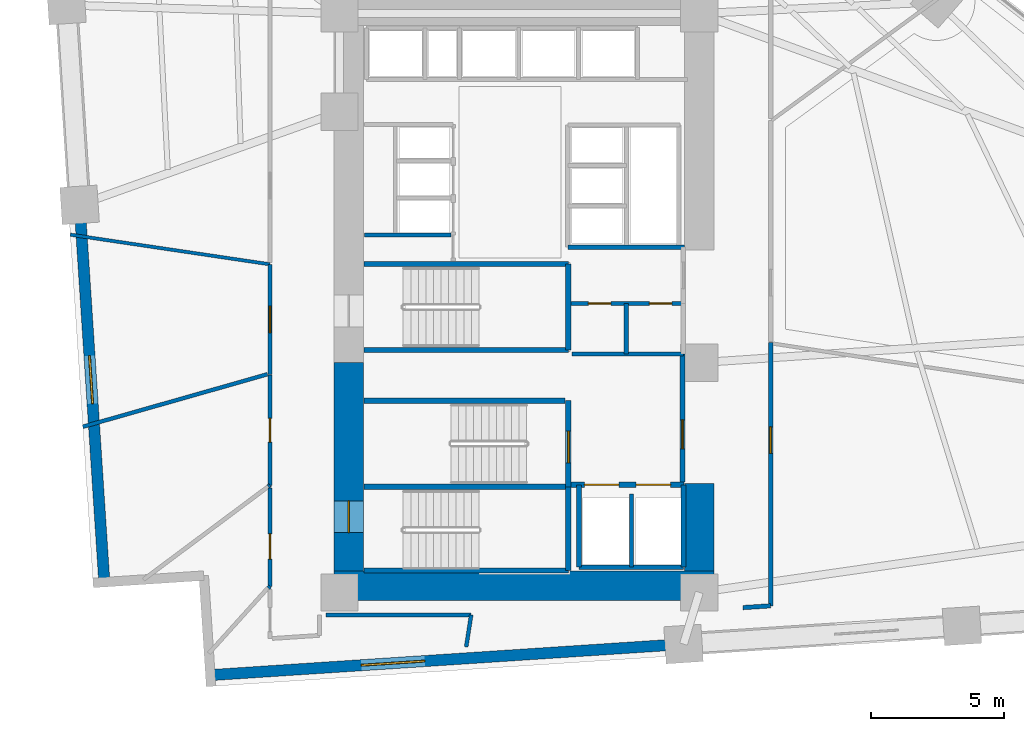
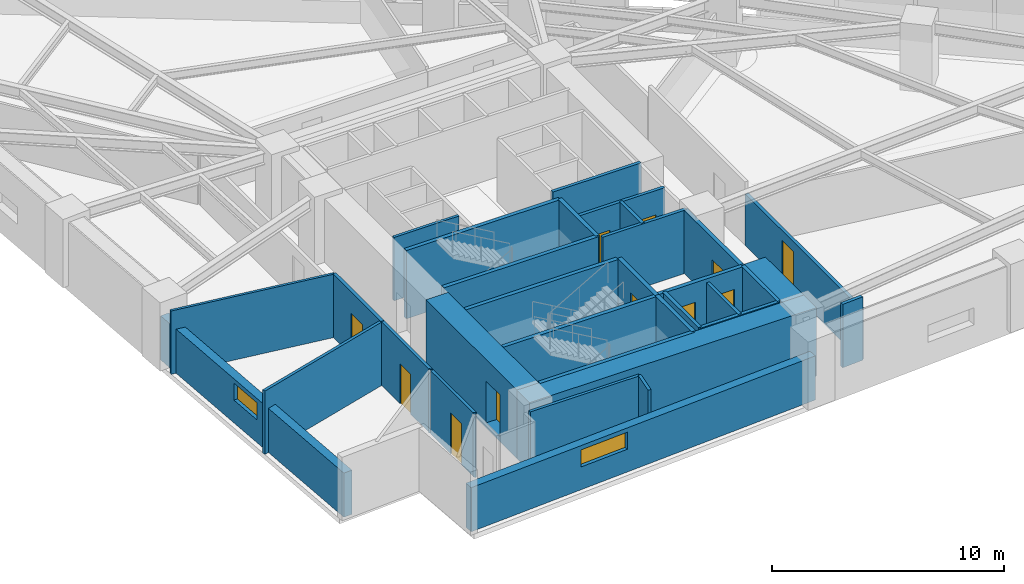
# One storey, part 12 of 16: 35 walls, 11 doors, 2 windows, 13 openings.
"""IFC4 building model written with IfcOpenShell, lengths in metres."""

from ifc_helpers import new_model, si_unit, direction, frame, frame_2d, origin, place, context, subcontext, project, spatial, rectangle, extrude, material, layer, layer_set, type_object, element, fill, save


model = new_model("IFC4")

# Units and contexts
model_context = context("Model", 3, precision=1e-05, world=origin(), true_north=direction((0.0, 1.0)))
body_context = subcontext(model_context, "Body", "Model", "MODEL_VIEW")
ifc_project = project(units=[si_unit("LENGTHUNIT", "METRE"), si_unit("AREAUNIT", "SQUARE_METRE"), si_unit("VOLUMEUNIT", "CUBIC_METRE"), si_unit("PLANEANGLEUNIT", "RADIAN"), si_unit("MASSUNIT", "GRAM", prefix="KILO")], contexts=[model_context])

# Site, building, storey
site_placement = place(None, origin())
site = spatial("IfcSite", under=ifc_project, at=site_placement, CompositionType="ELEMENT")
building_placement = place(site_placement, origin())
building = spatial("IfcBuilding", under=site, at=building_placement, Name="Narakoshi Arena Tower", CompositionType="ELEMENT")
storey_placement = place(building_placement, frame((0.0, 0.0, 88.5)))
storey = spatial("IfcBuildingStorey", under=building, at=storey_placement, Name="L23", CompositionType="ELEMENT", Elevation=88.5)

# Wall, opening, door
ifc_material_1 = material(Name="Concrete C60/75", Category="concrete")
ifc_layer_1 = layer(ifc_material_1, 1.10009765625)
ifc_layer_set_1 = layer_set([ifc_layer_1], Name="Concrete C60/75")
wall_type_1 = type_object("IfcWallType", Name="WL-CORE-1100", PredefinedType="SHEAR", material=ifc_layer_set_1)
wall_1_placement = place(storey_placement, frame((72.35009765625, 35.5, -0.260009765625), z_axis=(0.0, 0.0, 1.0), x_axis=(0.0, 1.0, 0.0)))
wall_1 = element("IfcWall", 1, at=wall_1_placement, inside=storey, type_object=wall_type_1, Name="L23 Central Core Shear Wall CW-APX-W", PredefinedType="SHEAR", context=body_context, shape_type="SweptSolid", body=[
    extrude(rectangle(XDim=7.85009765625, YDim=1.10009765625, at=frame_2d((3.925048828125, 0.0))), origin(), (0.0, 0.0, 1.0), 3.60009765625),
])
opening_1_placement = place(wall_1_placement, frame((1.449951171875, 0.0, 0.260009765625)))
opening_1 = element("IfcOpeningElement", 2, at=opening_1_placement, cuts=wall_1, Name="Opening D-03", PredefinedType="OPENING", context=body_context, shape_type="SweptSolid", body=[
    extrude(rectangle(XDim=1.199951171875, YDim=2.199951171875, at=frame_2d((0.60009765625, 1.10009765625))), frame((0.0, 0.56005859375, 0.0), z_axis=(0.0, -1.0, 0.0), x_axis=(1.0, 0.0, 0.0)), (0.0, 0.0, 1.0), 1.1201171875),
])
ifc_material_2 = material(Name="Painted galvanized steel", Category="steel")
door_type_1 = type_object("IfcDoorType", Name="DR-STR-1200", OperationType="NOTDEFINED", PredefinedType="USERDEFINED", material=ifc_material_2)
door_1_placement = place(opening_1_placement, frame((1.199951171875, 0.0, 0.0), z_axis=(0.0, 0.0, 1.0), x_axis=(-1.0, 0.0, 0.0)))
door_1 = element("IfcDoor", 3, at=door_1_placement, inside=storey, type_object=door_type_1, Name="DR-L23-001", ObjectType="EXITDOOR", OperationType="SINGLE_SWING_LEFT", OverallHeight=2.199951171875, OverallWidth=1.199951171875, PredefinedType="USERDEFINED", context=body_context, shape_type="SweptSolid", body=[
    extrude(rectangle(XDim=1.199951171875, YDim=2.199951171875, at=frame_2d((0.60009765625, 1.10009765625))), frame((0.0, 0.02490234375, 0.0), z_axis=(0.0, -1.0, 0.0), x_axis=(1.0, 0.0, 0.0)), (0.0, 0.0, 1.0), 0.050048828125),
])
fill(opening_1, door_1)

# Walls
wall_2_placement = place(storey_placement, frame((71.800048828125, 34.949951171875, -0.260009765625), z_axis=(0.0, 0.0, 1.0), x_axis=(1.0, 0.0, 0.0)))
element("IfcWall", 4, at=wall_2_placement, inside=storey, type_object=wall_type_1, Name="L23 Central Core Shear Wall CW-APX-S", PredefinedType="SHEAR", context=body_context, shape_type="SweptSolid", body=[
    extrude(rectangle(XDim=14.300048828125, YDim=1.10009765625, at=frame_2d((7.14990234375, 0.0))), origin(), (0.0, 0.0, 1.0), 3.60009765625),
])
wall_3_placement = place(storey_placement, frame((85.550048828125, 35.5, -0.260009765625), z_axis=(0.0, 0.0, 1.0), x_axis=(0.0, 1.0, 0.0)))
element("IfcWall", 5, at=wall_3_placement, inside=storey, type_object=wall_type_1, Name="L23 Central Core Shear Wall CW-APX-E", PredefinedType="SHEAR", context=body_context, shape_type="SweptSolid", body=[
    extrude(rectangle(XDim=3.300048828125, YDim=1.10009765625, at=frame_2d((1.64990234375, 0.0))), origin(), (0.0, 0.0, 1.0), 3.60009765625),
])

# Wall, opening, door
ifc_material_3 = material(Name="Gypsum plasterboard fire-rated partition")
ifc_layer_2 = layer(ifc_material_3, 0.1650390625)
ifc_layer_set_2 = layer_set([ifc_layer_2], Name="Gypsum plasterboard fire-rated partition")
wall_type_2 = type_object("IfcWallType", Name="WL-CORR-165", PredefinedType="PARTITIONING", material=ifc_layer_set_2)
wall_4_placement = place(storey_placement, frame((69.3798828125, 47.0546875, 0.0), z_axis=(0.0, 0.0, 1.0), x_axis=(0.0, -1.0, 0.0)))
wall_4 = element("IfcWall", 6, at=wall_4_placement, inside=storey, type_object=wall_type_2, Name="L23 Corridor Partition 01-1", PredefinedType="PARTITIONING", context=body_context, shape_type="SweptSolid", body=[
    extrude(rectangle(XDim=4.1484375, YDim=0.1650390625, at=frame_2d((2.07421875, 0.0))), origin(), (0.0, 0.0, 1.0), 3.340087890625),
])
opening_2_placement = place(wall_4_placement, frame((1.57421875, 0.0, 0.0)))
opening_2 = element("IfcOpeningElement", 7, at=opening_2_placement, cuts=wall_4, Name="Opening D-06", PredefinedType="OPENING", context=body_context, shape_type="SweptSolid", body=[
    extrude(rectangle(XDim=1.0, YDim=2.199951171875, at=frame_2d((0.5, 1.10009765625))), frame((0.0, 0.092529296875, 0.0), z_axis=(0.0, -1.0, 0.0), x_axis=(1.0, 0.0, 0.0)), (0.0, 0.0, 1.0), 0.18505859375),
])
ifc_material_4 = material(Name="Stained oak solid-core timber", Category="wood")
door_type_2 = type_object("IfcDoorType", Name="DR-OFF-1000", OperationType="NOTDEFINED", PredefinedType="DOOR", material=ifc_material_4)
door_2_placement = place(opening_2_placement, frame((1.0, 0.0, 0.0), z_axis=(0.0, 0.0, 1.0), x_axis=(-1.0, 0.0, 0.0)))
door_2 = element("IfcDoor", 8, at=door_2_placement, inside=storey, type_object=door_type_2, Name="DR-L23-014", OperationType="SINGLE_SWING_LEFT", OverallHeight=2.199951171875, OverallWidth=1.0, PredefinedType="DOOR", context=body_context, shape_type="SweptSolid", body=[
    extrude(rectangle(XDim=1.0, YDim=2.199951171875, at=frame_2d((0.5, 1.10009765625))), frame((0.0, 0.02490234375, 0.0), z_axis=(0.0, -1.0, 0.0), x_axis=(1.0, 0.0, 0.0)), (0.0, 0.0, 1.0), 0.050048828125),
])
fill(opening_2, door_2)

wall_5_placement = place(storey_placement, frame((88.237548828125, 34.193603515625, 0.0), z_axis=(0.0, 0.0, 1.0), x_axis=(0.0, 1.0, 0.0)))
wall_5 = element("IfcWall", 9, at=wall_5_placement, inside=storey, type_object=wall_type_2, Name="L23 Corridor Partition 05-1", PredefinedType="PARTITIONING", context=body_context, shape_type="SweptSolid", body=[
    extrude(rectangle(XDim=9.9248046875, YDim=0.1650390625, at=frame_2d((4.96240234375, 0.0))), origin(), (0.0, 0.0, 1.0), 2.72509765625),
])
opening_3_placement = place(wall_5_placement, frame((5.7412109375, 0.0, 0.0)))
opening_3 = element("IfcOpeningElement", 10, at=opening_3_placement, cuts=wall_5, Name="Opening D-06", PredefinedType="OPENING", context=body_context, shape_type="SweptSolid", body=[
    extrude(rectangle(XDim=1.0, YDim=2.199951171875, at=frame_2d((0.5, 1.10009765625))), frame((0.0, 0.092529296875, 0.0), z_axis=(0.0, -1.0, 0.0), x_axis=(1.0, 0.0, 0.0)), (0.0, 0.0, 1.0), 0.18505859375),
])
door_3_placement = place(opening_3_placement, frame((1.0, 0.0, 0.0), z_axis=(0.0, 0.0, 1.0), x_axis=(-1.0, 0.0, 0.0)))
door_3 = element("IfcDoor", 11, at=door_3_placement, inside=storey, type_object=door_type_2, Name="DR-L23-018", OperationType="SINGLE_SWING_LEFT", OverallHeight=2.199951171875, OverallWidth=1.0, PredefinedType="DOOR", context=body_context, shape_type="SweptSolid", body=[
    extrude(rectangle(XDim=1.0, YDim=2.199951171875, at=frame_2d((0.5, 1.10009765625))), frame((0.0, 0.02490234375, 0.0), z_axis=(0.0, -1.0, 0.0), x_axis=(1.0, 0.0, 0.0)), (0.0, 0.0, 1.0), 0.050048828125),
])
fill(opening_3, door_3)

# Walls
wall_6_placement = place(storey_placement, frame((87.197509765625, 34.12548828125, 0.0), z_axis=(0.0, 0.0, 1.0), x_axis=(0.997862211048, 0.065352947625, 0.0)))
element("IfcWall", 12, at=wall_6_placement, inside=storey, type_object=wall_type_2, Name="L23 Corridor Partition 05-2", PredefinedType="PARTITIONING", context=body_context, shape_type="SweptSolid", body=[
    extrude(rectangle(XDim=1.042236328125, YDim=0.1650390625, at=frame_2d((0.52099609375, 0.0))), origin(), (0.0, 0.0, 1.0), 3.340087890625),
])
ifc_layer_3 = layer(ifc_material_3, 0.125)
ifc_layer_set_3 = layer_set([ifc_layer_3], Name="Gypsum plasterboard fire-rated partition")
wall_type_3 = type_object("IfcWallType", Name="WL-PART-125", PredefinedType="PARTITIONING", material=ifc_layer_set_3)
wall_7_placement = place(storey_placement, frame((61.85791015625, 48.171630859375, 0.0), z_axis=(0.0, 0.0, 1.0), x_axis=(0.989154279696, -0.146880260617, 0.0)))
element("IfcWall", 13, at=wall_7_placement, inside=storey, type_object=wall_type_3, Name="L23 Inter-Room Partition 01-09", PredefinedType="PARTITIONING", context=body_context, shape_type="SweptSolid", body=[
    extrude(rectangle(XDim=7.6044921875, YDim=0.125, at=frame_2d((3.80224609375, 0.0))), origin(), (0.0, 0.0, 1.0), 3.340087890625),
])

# Wall, opening, window
ifc_material_5 = material(Name="Precast concrete C45/55", Category="concrete")
ifc_layer_4 = layer(ifc_material_5, 0.419921875)
ifc_layer_set_4 = layer_set([ifc_layer_4], Name="Precast concrete C45/55")
wall_type_4 = type_object("IfcWallType", Name="WL-POD-420", PredefinedType="SOLIDWALL", material=ifc_layer_set_4)
wall_8_placement = place(storey_placement, frame((67.133056640625, 31.582763671875, 0.0), z_axis=(0.0, 0.0, 1.0), x_axis=(0.997859040617, 0.065401338356, 0.0)))
wall_8 = element("IfcWall", 14, at=wall_8_placement, inside=storey, type_object=wall_type_4, Name="L23 Architectural Concrete Facade Wall LEGA-1", PredefinedType="SOLIDWALL", context=body_context, shape_type="SweptSolid", body=[
    extrude(rectangle(XDim=17.8623046875, YDim=0.419921875, at=frame_2d((8.93115234375, 0.0))), origin(), (0.0, 0.0, 1.0), 2.324951171875),
])
opening_4_placement = place(wall_8_placement, frame((5.699951171875, 0.0, 1.199951171875)))
opening_4 = element("IfcOpeningElement", 15, at=opening_4_placement, cuts=wall_8, Name="Opening WN-01", PredefinedType="OPENING", context=body_context, shape_type="SweptSolid", body=[
    extrude(rectangle(XDim=2.39990234375, YDim=0.89990234375, at=frame_2d((1.199951171875, 0.449951171875))), frame((0.0, 0.219970703125, 0.0), z_axis=(0.0, -1.0, 0.0), x_axis=(1.0, 0.0, 0.0)), (0.0, 0.0, 1.0), 0.43994140625),
])
ifc_material_6 = material(Name="Bronze-tinted low-E laminated glass", Category="glass")
window_type_1 = type_object("IfcWindowType", Name="WIN-SLT-24x09", PartitioningType="SINGLE_PANEL", PredefinedType="WINDOW", material=ifc_material_6)
window_1_placement = place(opening_4_placement, origin())
window_1 = element("IfcWindow", 16, at=window_1_placement, inside=storey, type_object=window_type_1, Name="L23 LEGA1 Horizontal Slot Window 1", OverallHeight=0.89990234375, OverallWidth=2.39990234375, PartitioningType="SINGLE_PANEL", PredefinedType="WINDOW", context=body_context, shape_type="SweptSolid", body=[
    extrude(rectangle(XDim=2.39990234375, YDim=0.89990234375, at=frame_2d((1.199951171875, 0.449951171875))), frame((0.0, 0.030029296875, 0.0), z_axis=(0.0, -1.0, 0.0), x_axis=(1.0, 0.0, 0.0)), (0.0, 0.0, 1.0), 0.06005859375),
])
fill(opening_4, window_1)

wall_9_placement = place(storey_placement, frame((62.210205078125, 49.294921875, 0.0), z_axis=(0.0, 0.0, 1.0), x_axis=(0.065396027757, -0.997859388668, 0.0)))
wall_9 = element("IfcWall", 17, at=wall_9_placement, inside=storey, type_object=wall_type_4, Name="L23 Architectural Concrete Facade Wall LEGB-3", PredefinedType="SOLIDWALL", context=body_context, shape_type="SweptSolid", body=[
    extrude(rectangle(XDim=14.242431640625, YDim=0.419921875, at=frame_2d((7.12109375, 0.0))), origin(), (0.0, 0.0, 1.0), 2.324951171875),
])
opening_5_placement = place(wall_9_placement, frame((5.699951171875, 0.0, 1.199951171875)))
opening_5 = element("IfcOpeningElement", 18, at=opening_5_placement, cuts=wall_9, Name="Opening WN-02", PredefinedType="OPENING", context=body_context, shape_type="SweptSolid", body=[
    extrude(rectangle(XDim=1.800048828125, YDim=0.89990234375, at=frame_2d((0.89990234375, 0.449951171875))), frame((0.0, 0.219970703125, 0.0), z_axis=(0.0, -1.0, 0.0), x_axis=(1.0, 0.0, 0.0)), (0.0, 0.0, 1.0), 0.43994140625),
])
window_type_2 = type_object("IfcWindowType", Name="WIN-SLT-18x09", PartitioningType="SINGLE_PANEL", PredefinedType="WINDOW", material=ifc_material_6)
window_2_placement = place(opening_5_placement, origin())
window_2 = element("IfcWindow", 19, at=window_2_placement, inside=storey, type_object=window_type_2, Name="L23 LEGB3 Horizontal Slot Window 1", OverallHeight=0.89990234375, OverallWidth=1.800048828125, PartitioningType="SINGLE_PANEL", PredefinedType="WINDOW", context=body_context, shape_type="SweptSolid", body=[
    extrude(rectangle(XDim=1.800048828125, YDim=0.89990234375, at=frame_2d((0.89990234375, 0.449951171875))), frame((0.0, 0.030029296875, 0.0), z_axis=(0.0, -1.0, 0.0), x_axis=(1.0, 0.0, 0.0)), (0.0, 0.0, 1.0), 0.06005859375),
])
fill(opening_5, window_2)

# Wall
ifc_material_7 = material(Name="Concrete C40/50", Category="concrete")
ifc_layer_5 = layer(ifc_material_7, 0.280029296875)
ifc_layer_set_5 = layer_set([ifc_layer_5], Name="Concrete C40/50")
wall_type_5 = type_object("IfcWallType", Name="WL-RISER-280", PredefinedType="PLUMBINGWALL", material=ifc_layer_set_5)
wall_10_placement = place(storey_placement, frame((83.0, 35.64990234375, 0.0), z_axis=(0.0, 0.0, 1.0), x_axis=(0.0, 1.0, 0.0)))
element("IfcWall", 20, at=wall_10_placement, inside=storey, type_object=wall_type_5, Name="L23 Core Wall FF-DIV", PredefinedType="PLUMBINGWALL", context=body_context, shape_type="SweptSolid", body=[
    extrude(rectangle(XDim=2.75, YDim=0.159912109375, at=frame_2d((1.375, 0.0))), origin(), (0.0, 0.0, 1.0), 3.340087890625),
])

# Wall, openings, doors
wall_11_placement = place(storey_placement, frame((80.719970703125, 45.580078125, 0.0), z_axis=(0.0, 0.0, 1.0), x_axis=(1.0, 0.0, 0.0)))
wall_11 = element("IfcWall", 21, at=wall_11_placement, inside=storey, type_object=wall_type_5, Name="L23 Core Wall RSR-N", PredefinedType="PLUMBINGWALL", context=body_context, shape_type="SweptSolid", body=[
    extrude(rectangle(XDim=4.22998046875, YDim=0.159912109375, at=frame_2d((2.114990234375, 0.0))), origin(), (0.0, 0.0, 1.0), 3.340087890625),
])
opening_6_placement = place(wall_11_placement, frame((0.64990234375, 0.0, 0.0)))
opening_6 = element("IfcOpeningElement", 22, at=opening_6_placement, cuts=wall_11, Name="Opening D-10", PredefinedType="OPENING", context=body_context, shape_type="SweptSolid", body=[
    extrude(rectangle(XDim=0.85009765625, YDim=2.050048828125, at=frame_2d((0.425048828125, 1.02490234375))), frame((0.0, 0.08984375, 0.0), z_axis=(0.0, -1.0, 0.0), x_axis=(1.0, 0.0, 0.0)), (0.0, 0.0, 1.0), 0.179931640625),
])
opening_7_placement = place(wall_11_placement, frame((2.949951171875, 0.0, 0.0)))
opening_7 = element("IfcOpeningElement", 23, at=opening_7_placement, cuts=wall_11, Name="Opening D-10", PredefinedType="OPENING", context=body_context, shape_type="SweptSolid", body=[
    extrude(rectangle(XDim=0.85009765625, YDim=2.050048828125, at=frame_2d((0.425048828125, 1.02490234375))), frame((0.0, 0.08984375, 0.0), z_axis=(0.0, -1.0, 0.0), x_axis=(1.0, 0.0, 0.0)), (0.0, 0.0, 1.0), 0.179931640625),
])
door_type_3 = type_object("IfcDoorType", Name="DR-RSR-850", OperationType="NOTDEFINED", PredefinedType="DOOR", material=ifc_material_2)
door_4_placement = place(opening_6_placement, frame((0.85009765625, 0.0, 0.0), z_axis=(0.0, 0.0, 1.0), x_axis=(-1.0, 0.0, 0.0)))
door_4 = element("IfcDoor", 24, at=door_4_placement, inside=storey, type_object=door_type_3, Name="DR-L23-008", OperationType="SINGLE_SWING_LEFT", OverallHeight=2.050048828125, OverallWidth=0.85009765625, PredefinedType="DOOR", context=body_context, shape_type="SweptSolid", body=[
    extrude(rectangle(XDim=0.85009765625, YDim=2.050048828125, at=frame_2d((0.425048828125, 1.02490234375))), frame((0.0, 0.02490234375, 0.0), z_axis=(0.0, -1.0, 0.0), x_axis=(1.0, 0.0, 0.0)), (0.0, 0.0, 1.0), 0.050048828125),
])
fill(opening_6, door_4)
door_5_placement = place(opening_7_placement, frame((0.85009765625, 0.0, 0.0), z_axis=(0.0, 0.0, 1.0), x_axis=(-1.0, 0.0, 0.0)))
door_5 = element("IfcDoor", 25, at=door_5_placement, inside=storey, type_object=door_type_3, Name="DR-L23-009", OperationType="SINGLE_SWING_RIGHT", OverallHeight=2.050048828125, OverallWidth=0.85009765625, PredefinedType="DOOR", context=body_context, shape_type="SweptSolid", body=[
    extrude(rectangle(XDim=0.85009765625, YDim=2.050048828125, at=frame_2d((0.425048828125, 1.02490234375))), frame((0.0, 0.02490234375, 0.0), z_axis=(0.0, -1.0, 0.0), x_axis=(1.0, 0.0, 0.0)), (0.0, 0.0, 1.0), 0.050048828125),
])
fill(opening_7, door_5)

# Walls
wall_12_placement = place(storey_placement, frame((80.760009765625, 43.679931640625, 0.0), z_axis=(0.0, 0.0, 1.0), x_axis=(1.0, 0.0, 0.0)))
element("IfcWall", 26, at=wall_12_placement, inside=storey, type_object=wall_type_5, Name="L23 Core Wall RSR-S", PredefinedType="PLUMBINGWALL", context=body_context, shape_type="SweptSolid", body=[
    extrude(rectangle(XDim=4.18994140625, YDim=0.159912109375, at=frame_2d((2.094970703125, 0.0))), origin(), (0.0, 0.0, 1.0), 3.340087890625),
])
wall_13_placement = place(storey_placement, frame((82.800048828125, 43.679931640625, 0.0), z_axis=(0.0, 0.0, 1.0), x_axis=(0.0, 1.0, 0.0)))
element("IfcWall", 27, at=wall_13_placement, inside=storey, type_object=wall_type_5, Name="L23 Core Wall RSR-M", PredefinedType="PLUMBINGWALL", context=body_context, shape_type="SweptSolid", body=[
    extrude(rectangle(XDim=1.900146484375, YDim=0.159912109375, at=frame_2d((0.9501953125, 0.0))), origin(), (0.0, 0.0, 1.0), 3.340087890625),
])
wall_14_placement = place(storey_placement, frame((72.949951171875, 48.159912109375, 0.0), z_axis=(0.0, 0.0, 1.0), x_axis=(1.0, 0.0, 0.0)))
element("IfcWall", 28, at=wall_14_placement, inside=storey, type_object=wall_type_5, Name="L23 Core Wall LR-S0", PredefinedType="PLUMBINGWALL", context=body_context, shape_type="SweptSolid", body=[
    extrude(rectangle(XDim=3.239990234375, YDim=0.139892578125, at=frame_2d((1.6201171875, 0.0))), origin(), (0.0, 0.0, 1.0), 3.340087890625),
])
ifc_material_8 = material(Name="Concrete C50/60", Category="concrete")
ifc_layer_6 = layer(ifc_material_8, 0.35009765625)
ifc_layer_set_6 = layer_set([ifc_layer_6], Name="Concrete C50/60")
wall_type_6 = type_object("IfcWallType", Name="WL-SHAFT-350", PredefinedType="SOLIDWALL", material=ifc_layer_set_6)
for number, where, z_axis, x_axis, name in (
    (29, (72.919921875, 35.52001953125, -0.260009765625), (0.0, 0.0, 1.0), (1.0, 0.0, 0.0), "L23 Core Wall ST1-S"),
    (30, (72.919921875, 38.675048828125, -0.260009765625), (0.0, 0.0, 1.0), (1.0, 0.0, 0.0), "L23 Core Wall ST12-DIV"),
):
    element("IfcWall", number, at=place(storey_placement, frame(where, z_axis=z_axis, x_axis=x_axis)), inside=storey, type_object=wall_type_6, Name=name, PredefinedType="SOLIDWALL", context=body_context, shape_type="SweptSolid", body=[
        extrude(rectangle(XDim=7.7001953125, YDim=0.199951171875, at=frame_2d((3.85009765625, 0.0))), origin(), (0.0, 0.0, 1.0), 3.60009765625),
    ])
wall_15_placement = place(storey_placement, frame((80.6201171875, 35.52001953125, -0.260009765625), z_axis=(0.0, 0.0, 1.0), x_axis=(0.0, 1.0, 0.0)))
element("IfcWall", 31, at=wall_15_placement, inside=storey, type_object=wall_type_6, Name="L23 Core Wall ST1-E", PredefinedType="SOLIDWALL", context=body_context, shape_type="SweptSolid", body=[
    extrude(rectangle(XDim=3.155029296875, YDim=0.199951171875, at=frame_2d((1.57763671875, 0.0))), origin(), (0.0, 0.0, 1.0), 3.60009765625),
])

# Wall, opening, door
wall_16_placement = place(storey_placement, frame((80.6201171875, 38.675048828125, -0.260009765625), z_axis=(0.0, 0.0, 1.0), x_axis=(0.0, 1.0, 0.0)))
wall_16 = element("IfcWall", 32, at=wall_16_placement, inside=storey, type_object=wall_type_6, Name="L23 Core Wall ST2-E", PredefinedType="SOLIDWALL", context=body_context, shape_type="SweptSolid", body=[
    extrude(rectangle(XDim=3.244873046875, YDim=0.199951171875, at=frame_2d((1.62255859375, 0.0))), origin(), (0.0, 0.0, 1.0), 3.60009765625),
])
opening_8_placement = place(wall_16_placement, frame((0.89990234375, 0.0, 0.260009765625)))
opening_8 = element("IfcOpeningElement", 33, at=opening_8_placement, cuts=wall_16, Name="Opening D-03", PredefinedType="OPENING", context=body_context, shape_type="SweptSolid", body=[
    extrude(rectangle(XDim=1.199951171875, YDim=2.199951171875, at=frame_2d((0.60009765625, 1.10009765625))), frame((0.0, 0.10986328125, 0.0), z_axis=(0.0, -1.0, 0.0), x_axis=(1.0, 0.0, 0.0)), (0.0, 0.0, 1.0), 0.219970703125),
])
door_6_placement = place(opening_8_placement, origin())
door_6 = element("IfcDoor", 34, at=door_6_placement, inside=storey, type_object=door_type_1, Name="DR-L23-002", ObjectType="EXITDOOR", OperationType="SINGLE_SWING_RIGHT", OverallHeight=2.199951171875, OverallWidth=1.199951171875, PredefinedType="USERDEFINED", context=body_context, shape_type="SweptSolid", body=[
    extrude(rectangle(XDim=1.199951171875, YDim=2.199951171875, at=frame_2d((0.60009765625, 1.10009765625))), frame((0.0, 0.02490234375, 0.0), z_axis=(0.0, -1.0, 0.0), x_axis=(1.0, 0.0, 0.0)), (0.0, 0.0, 1.0), 0.050048828125),
])
fill(opening_8, door_6)

# Wall, openings, doors
wall_17_placement = place(storey_placement, frame((80.719970703125, 38.75, 0.0), z_axis=(0.0, 0.0, 1.0), x_axis=(1.0, 0.0, 0.0)))
wall_17 = element("IfcWall", 35, at=wall_17_placement, inside=storey, type_object=wall_type_6, Name="L23 Core Wall FF-N", PredefinedType="SOLIDWALL", context=body_context, shape_type="SweptSolid", body=[
    extrude(rectangle(XDim=4.260009765625, YDim=0.199951171875, at=frame_2d((2.1298828125, 0.0))), origin(), (0.0, 0.0, 1.0), 3.340087890625),
])
opening_9_placement = place(wall_17_placement, frame((0.5, 0.0, 0.0)))
opening_9 = element("IfcOpeningElement", 36, at=opening_9_placement, cuts=wall_17, Name="Opening LD-02", PredefinedType="OPENING", context=body_context, shape_type="SweptSolid", body=[
    extrude(rectangle(XDim=1.300048828125, YDim=2.300048828125, at=frame_2d((0.64990234375, 1.14990234375))), frame((0.0, 0.10986328125, 0.0), z_axis=(0.0, -1.0, 0.0), x_axis=(1.0, 0.0, 0.0)), (0.0, 0.0, 1.0), 0.219970703125),
])
opening_10_placement = place(wall_17_placement, frame((2.449951171875, 0.0, 0.0)))
opening_10 = element("IfcOpeningElement", 37, at=opening_10_placement, cuts=wall_17, Name="Opening LD-02", PredefinedType="OPENING", context=body_context, shape_type="SweptSolid", body=[
    extrude(rectangle(XDim=1.300048828125, YDim=2.300048828125, at=frame_2d((0.64990234375, 1.14990234375))), frame((0.0, 0.10986328125, 0.0), z_axis=(0.0, -1.0, 0.0), x_axis=(1.0, 0.0, 0.0)), (0.0, 0.0, 1.0), 0.219970703125),
])
ifc_material_9 = material(Name="Brushed bronze stainless steel", Category="steel")
door_type_4 = type_object("IfcDoorType", Name="DR-LFT-1300", OperationType="DOUBLE_DOOR_SLIDING", PredefinedType="DOOR", material=ifc_material_9)
door_7_placement = place(opening_9_placement, origin())
door_7 = element("IfcDoor", 38, at=door_7_placement, inside=storey, type_object=door_type_4, Name="DR-L23-003", OperationType="DOUBLE_DOOR_SLIDING", OverallHeight=2.300048828125, OverallWidth=1.300048828125, PredefinedType="DOOR", context=body_context, shape_type="SweptSolid", body=[
    extrude(rectangle(XDim=1.300048828125, YDim=2.300048828125, at=frame_2d((0.64990234375, 1.14990234375))), frame((0.0, 0.02490234375, 0.0), z_axis=(0.0, -1.0, 0.0), x_axis=(1.0, 0.0, 0.0)), (0.0, 0.0, 1.0), 0.050048828125),
])
fill(opening_9, door_7)
door_8_placement = place(opening_10_placement, origin())
door_8 = element("IfcDoor", 39, at=door_8_placement, inside=storey, type_object=door_type_4, Name="DR-L23-004", OperationType="DOUBLE_DOOR_SLIDING", OverallHeight=2.300048828125, OverallWidth=1.300048828125, PredefinedType="DOOR", context=body_context, shape_type="SweptSolid", body=[
    extrude(rectangle(XDim=1.300048828125, YDim=2.300048828125, at=frame_2d((0.64990234375, 1.14990234375))), frame((0.0, 0.02490234375, 0.0), z_axis=(0.0, -1.0, 0.0), x_axis=(1.0, 0.0, 0.0)), (0.0, 0.0, 1.0), 0.050048828125),
])
fill(opening_10, door_8)

# Walls
for number, where, z_axis, x_axis, name in (
    (40, (84.949951171875, 35.64990234375, 0.0), (0.0, 0.0, 1.0), (0.0, 1.0, 0.0), "L23 Core Wall FF-E"),
    (41, (81.02001953125, 35.64990234375, 0.0), (0.0, 0.0, 1.0), (0.0, 1.0, 0.0), "L23 Core Wall FF-W"),
):
    element("IfcWall", number, at=place(storey_placement, frame(where, z_axis=z_axis, x_axis=x_axis)), inside=storey, type_object=wall_type_6, Name=name, PredefinedType="SOLIDWALL", context=body_context, shape_type="SweptSolid", body=[
        extrude(rectangle(XDim=3.10009765625, YDim=0.179931640625, at=frame_2d((1.550048828125, 0.0))), origin(), (0.0, 0.0, 1.0), 3.340087890625),
    ])
wall_18_placement = place(storey_placement, frame((81.02001953125, 35.64990234375, 0.0), z_axis=(0.0, 0.0, 1.0), x_axis=(1.0, 0.0, 0.0)))
element("IfcWall", 42, at=wall_18_placement, inside=storey, type_object=wall_type_6, Name="L23 Core Wall FF-S", PredefinedType="SOLIDWALL", context=body_context, shape_type="SweptSolid", body=[
    extrude(rectangle(XDim=3.929931640625, YDim=0.179931640625, at=frame_2d((1.96484375, 0.0))), origin(), (0.0, 0.0, 1.0), 3.340087890625),
])

# Wall, opening, door
wall_19_placement = place(storey_placement, frame((84.919921875, 38.85009765625, 0.0), z_axis=(0.0, 0.0, 1.0), x_axis=(0.0, 1.0, 0.0)))
wall_19 = element("IfcWall", 43, at=wall_19_placement, inside=storey, type_object=wall_type_6, Name="L23 Core Wall FFLOB-E", PredefinedType="SOLIDWALL", context=body_context, shape_type="SweptSolid", body=[
    extrude(rectangle(XDim=4.829833984375, YDim=0.199951171875, at=frame_2d((2.4150390625, 0.0))), origin(), (0.0, 0.0, 1.0), 3.340087890625),
])
opening_11_placement = place(wall_19_placement, frame((1.25, 0.0, 0.0)))
opening_11 = element("IfcOpeningElement", 44, at=opening_11_placement, cuts=wall_19, Name="Opening D-04", PredefinedType="OPENING", context=body_context, shape_type="SweptSolid", body=[
    extrude(rectangle(XDim=1.10009765625, YDim=2.199951171875, at=frame_2d((0.550048828125, 1.10009765625))), frame((0.0, 0.10986328125, 0.0), z_axis=(0.0, -1.0, 0.0), x_axis=(1.0, 0.0, 0.0)), (0.0, 0.0, 1.0), 0.219970703125),
])
door_type_5 = type_object("IfcDoorType", Name="DR-FFL-1100", OperationType="NOTDEFINED", PredefinedType="DOOR", material=ifc_material_2)
door_9_placement = place(opening_11_placement, frame((1.10009765625, 0.0, 0.0), z_axis=(0.0, 0.0, 1.0), x_axis=(-1.0, 0.0, 0.0)))
door_9 = element("IfcDoor", 45, at=door_9_placement, inside=storey, type_object=door_type_5, Name="DR-L23-005", OperationType="SINGLE_SWING_RIGHT", OverallHeight=2.199951171875, OverallWidth=1.10009765625, PredefinedType="DOOR", context=body_context, shape_type="SweptSolid", body=[
    extrude(rectangle(XDim=1.10009765625, YDim=2.199951171875, at=frame_2d((0.550048828125, 1.10009765625))), frame((0.0, 0.02490234375, 0.0), z_axis=(0.0, -1.0, 0.0), x_axis=(1.0, 0.0, 0.0)), (0.0, 0.0, 1.0), 0.050048828125),
])
fill(opening_11, door_9)

# Walls
wall_20_placement = place(storey_placement, frame((72.919921875, 41.919921875, -0.260009765625), z_axis=(0.0, 0.0, 1.0), x_axis=(1.0, 0.0, 0.0)))
element("IfcWall", 46, at=wall_20_placement, inside=storey, type_object=wall_type_6, Name="L23 Core Wall ST2-N", PredefinedType="SOLIDWALL", context=body_context, shape_type="SweptSolid", body=[
    extrude(rectangle(XDim=7.580078125, YDim=0.199951171875, at=frame_2d((3.7900390625, 0.0))), origin(), (0.0, 0.0, 1.0), 3.60009765625),
])
for number, where, z_axis, x_axis, name in (
    (47, (72.919921875, 43.830078125, -0.260009765625), (0.0, 0.0, 1.0), (1.0, 0.0, 0.0), "L23 Core Wall ST3-S"),
    (48, (72.919921875, 47.070068359375, -0.260009765625), (0.0, 0.0, 1.0), (1.0, 0.0, 0.0), "L23 Core Wall ST3-N"),
):
    element("IfcWall", number, at=place(storey_placement, frame(where, z_axis=z_axis, x_axis=x_axis)), inside=storey, type_object=wall_type_6, Name=name, PredefinedType="SOLIDWALL", context=body_context, shape_type="SweptSolid", body=[
        extrude(rectangle(XDim=7.7001953125, YDim=0.199951171875, at=frame_2d((3.85009765625, 0.0))), origin(), (0.0, 0.0, 1.0), 3.60009765625),
    ])
wall_21_placement = place(storey_placement, frame((80.6201171875, 43.830078125, -0.260009765625), z_axis=(0.0, 0.0, 1.0), x_axis=(0.0, 1.0, 0.0)))
element("IfcWall", 49, at=wall_21_placement, inside=storey, type_object=wall_type_6, Name="L23 Core Wall ST3-E", PredefinedType="SOLIDWALL", context=body_context, shape_type="SweptSolid", body=[
    extrude(rectangle(XDim=3.239990234375, YDim=0.199951171875, at=frame_2d((1.6201171875, 0.0))), origin(), (0.0, 0.0, 1.0), 3.60009765625),
])
wall_22_placement = place(storey_placement, frame((80.60009765625, 47.699951171875, 0.0), z_axis=(0.0, 0.0, 1.0), x_axis=(1.0, 0.0, 0.0)))
element("IfcWall", 50, at=wall_22_placement, inside=storey, type_object=wall_type_6, Name="L23 Core Wall MR-S", PredefinedType="SOLIDWALL", context=body_context, shape_type="SweptSolid", body=[
    extrude(rectangle(XDim=4.39990234375, YDim=0.159912109375, at=frame_2d((2.199951171875, 0.0))), origin(), (0.0, 0.0, 1.0), 3.340087890625),
])
ifc_material_10 = material(Name="Moisture-resistant cement-board partition")
ifc_layer_7 = layer(ifc_material_10, 0.14501953125)
ifc_layer_set_7 = layer_set([ifc_layer_7], Name="Moisture-resistant cement-board partition")
wall_type_7 = type_object("IfcWallType", Name="WL-WET-145", PredefinedType="PARTITIONING", material=ifc_layer_set_7)
wall_23_placement = place(storey_placement, frame((69.285400390625, 42.914306640625, 0.0), z_axis=(0.0, 0.0, 1.0), x_axis=(-0.961857133106, -0.273552290234, 0.0)))
element("IfcWall", 51, at=wall_23_placement, inside=storey, type_object=wall_type_7, Name="L23 Inter-Room Partition 01-02", PredefinedType="PARTITIONING", context=body_context, shape_type="SweptSolid", body=[
    extrude(rectangle(XDim=7.22900390625, YDim=0.14501953125, at=frame_2d((3.614501953125, 0.0))), origin(), (0.0, 0.0, 1.0), 3.340087890625),
])

# Wall, opening, door
wall_24_placement = place(storey_placement, frame((69.3798828125, 42.88134765625, 0.0), z_axis=(0.0, 0.0, 1.0), x_axis=(0.0, -1.0, 0.0)))
wall_24 = element("IfcWall", 52, at=wall_24_placement, inside=storey, type_object=wall_type_7, Name="L23 Corridor Partition 02-1", PredefinedType="PARTITIONING", context=body_context, shape_type="SweptSolid", body=[
    extrude(rectangle(XDim=4.148193359375, YDim=0.14501953125, at=frame_2d((2.07421875, 0.0))), origin(), (0.0, 0.0, 1.0), 3.340087890625),
])
opening_12_placement = place(wall_24_placement, frame((1.6240234375, 0.0, 0.0)))
opening_12 = element("IfcOpeningElement", 53, at=opening_12_placement, cuts=wall_24, Name="Opening D-08", PredefinedType="OPENING", context=body_context, shape_type="SweptSolid", body=[
    extrude(rectangle(XDim=0.89990234375, YDim=2.10009765625, at=frame_2d((0.449951171875, 1.050048828125))), frame((0.0, 0.08251953125, 0.0), z_axis=(0.0, -1.0, 0.0), x_axis=(1.0, 0.0, 0.0)), (0.0, 0.0, 1.0), 0.1650390625),
])
ifc_material_11 = material(Name="Moisture-resistant laminate timber", Category="wood")
door_type_6 = type_object("IfcDoorType", Name="DR-WC-900", OperationType="NOTDEFINED", PredefinedType="DOOR", material=ifc_material_11)
door_10_placement = place(opening_12_placement, frame((0.89990234375, 0.0, 0.0), z_axis=(0.0, 0.0, 1.0), x_axis=(-1.0, 0.0, 0.0)))
door_10 = element("IfcDoor", 54, at=door_10_placement, inside=storey, type_object=door_type_6, Name="DR-L23-015", OperationType="SINGLE_SWING_LEFT", OverallHeight=2.10009765625, OverallWidth=0.89990234375, PredefinedType="DOOR", context=body_context, shape_type="SweptSolid", body=[
    extrude(rectangle(XDim=0.89990234375, YDim=2.10009765625, at=frame_2d((0.449951171875, 1.050048828125))), frame((0.0, 0.02490234375, 0.0), z_axis=(0.0, -1.0, 0.0), x_axis=(1.0, 0.0, 0.0)), (0.0, 0.0, 1.0), 0.050048828125),
])
fill(opening_12, door_10)

# Wall
wall_25_placement = place(storey_placement, frame((69.3798828125, 38.733154296875, 0.0), z_axis=(0.0, 0.0, 1.0), x_axis=(-0.805881812891, -0.592076433961, 0.0)))
element("IfcWall", 55, at=wall_25_placement, inside=storey, type_object=wall_type_7, Name="L23 Corridor Partition 02-2", PredefinedType="PARTITIONING", context=body_context, shape_type="SweptSolid", body=[
    extrude(rectangle(XDim=0.07421875, YDim=0.14501953125, at=frame_2d((0.037109375, 0.0))), origin(), (0.0, 0.0, 1.0), 3.340087890625),
])

# Wall, opening, door
wall_26_placement = place(storey_placement, frame((69.3798828125, 38.62841796875, 0.0), z_axis=(0.0, 0.0, 1.0), x_axis=(0.0, -1.0, 0.0)))
wall_26 = element("IfcWall", 56, at=wall_26_placement, inside=storey, type_object=wall_type_7, Name="L23 Corridor Partition 03-1", PredefinedType="PARTITIONING", context=body_context, shape_type="SweptSolid", body=[
    extrude(rectangle(XDim=3.69921875, YDim=0.14501953125, at=frame_2d((1.849609375, 0.0))), origin(), (0.0, 0.0, 1.0), 3.340087890625),
])
opening_13_placement = place(wall_26_placement, frame((1.726806640625, 0.0, 0.0)))
opening_13 = element("IfcOpeningElement", 57, at=opening_13_placement, cuts=wall_26, Name="Opening D-07", PredefinedType="OPENING", context=body_context, shape_type="SweptSolid", body=[
    extrude(rectangle(XDim=0.949951171875, YDim=2.14990234375, at=frame_2d((0.47509765625, 1.074951171875))), frame((0.0, 0.08251953125, 0.0), z_axis=(0.0, -1.0, 0.0), x_axis=(1.0, 0.0, 0.0)), (0.0, 0.0, 1.0), 0.1650390625),
])
door_type_7 = type_object("IfcDoorType", Name="DR-ACC-950", OperationType="NOTDEFINED", PredefinedType="DOOR", material=ifc_material_4)
door_11_placement = place(opening_13_placement, frame((0.949951171875, 0.0, 0.0), z_axis=(0.0, 0.0, 1.0), x_axis=(-1.0, 0.0, 0.0)))
door_11 = element("IfcDoor", 58, at=door_11_placement, inside=storey, type_object=door_type_7, Name="DR-L23-016", OperationType="SINGLE_SWING_LEFT", OverallHeight=2.14990234375, OverallWidth=0.949951171875, PredefinedType="DOOR", context=body_context, shape_type="SweptSolid", body=[
    extrude(rectangle(XDim=0.949951171875, YDim=2.14990234375, at=frame_2d((0.47509765625, 1.074951171875))), frame((0.0, 0.02490234375, 0.0), z_axis=(0.0, -1.0, 0.0), x_axis=(1.0, 0.0, 0.0)), (0.0, 0.0, 1.0), 0.050048828125),
])
fill(opening_13, door_11)

# Walls
wall_27_placement = place(storey_placement, frame((69.3798828125, 34.92919921875, 0.0), z_axis=(0.0, 0.0, 1.0), x_axis=(-0.659838264085, -0.751407655836, 0.0)))
element("IfcWall", 59, at=wall_27_placement, inside=storey, type_object=wall_type_7, Name="L23 Corridor Partition 03-2", PredefinedType="PARTITIONING", context=body_context, shape_type="SweptSolid", body=[
    extrude(rectangle(XDim=0.090576171875, YDim=0.14501953125, at=frame_2d((0.04541015625, 0.0))), origin(), (0.0, 0.0, 1.0), 3.340087890625),
])
wall_28_placement = place(storey_placement, frame((71.482421875, 33.85009765625, 0.0), z_axis=(0.0, 0.0, 1.0), x_axis=(1.0, 0.0, 0.0)))
element("IfcWall", 60, at=wall_28_placement, inside=storey, type_object=wall_type_7, Name="L23 Room Enclosure Partition 04-1", PredefinedType="PARTITIONING", context=body_context, shape_type="SweptSolid", body=[
    extrude(rectangle(XDim=5.47607421875, YDim=0.14501953125, at=frame_2d((2.738037109375, 0.0))), origin(), (0.0, 0.0, 1.0), 3.340087890625),
])
wall_29_placement = place(storey_placement, frame((76.95849609375, 33.85009765625, 0.0), z_axis=(0.0, 0.0, 1.0), x_axis=(-0.153967651191, -0.988075888982, 0.0)))
element("IfcWall", 61, at=wall_29_placement, inside=storey, type_object=wall_type_7, Name="L23 Room Enclosure Partition 04-2", PredefinedType="PARTITIONING", context=body_context, shape_type="SweptSolid", body=[
    extrude(rectangle(XDim=1.219482421875, YDim=0.14501953125, at=frame_2d((0.60986328125, 0.0))), origin(), (0.0, 0.0, 1.0), 3.340087890625),
])

save(model, "model.ifc")
